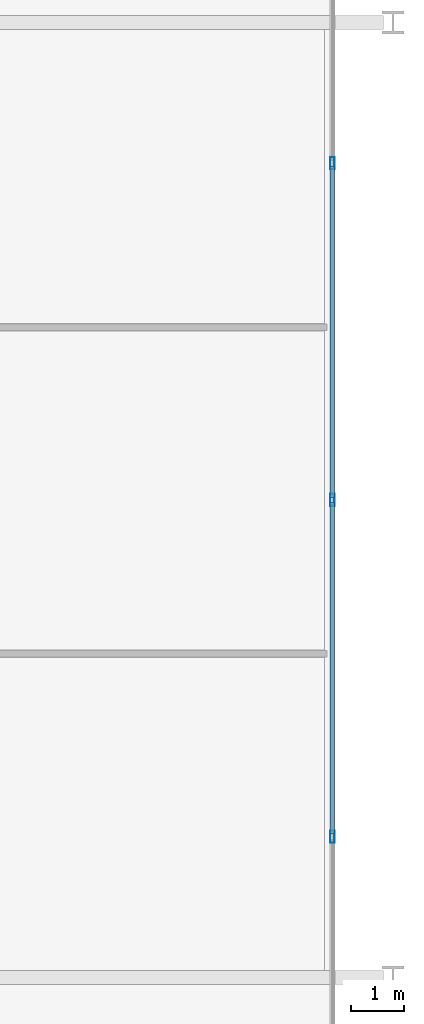
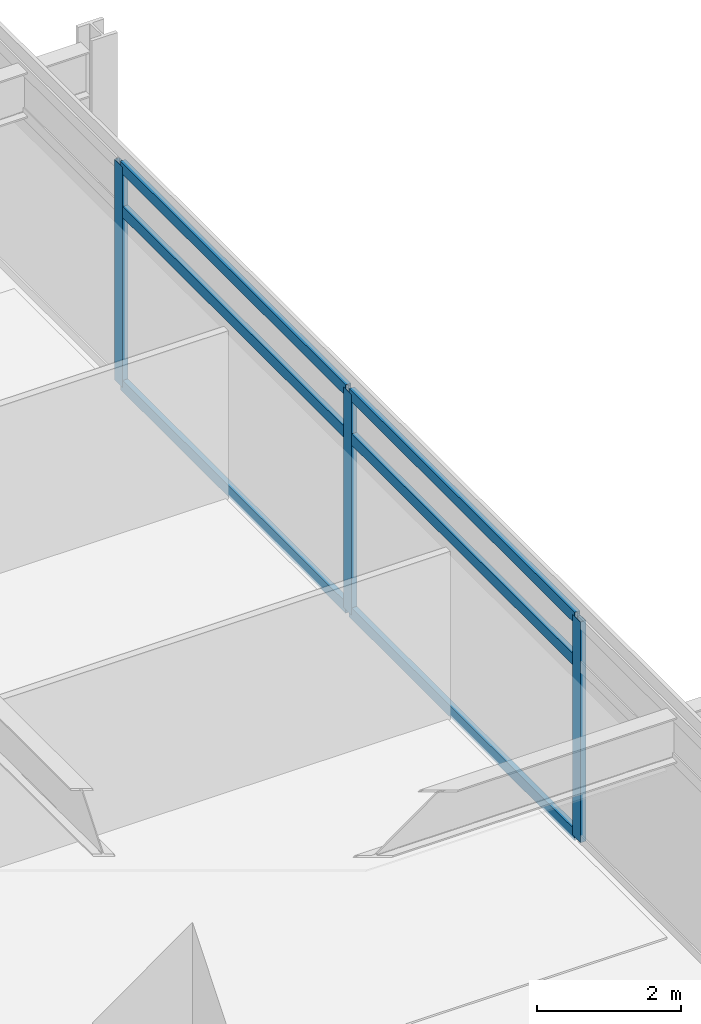
# One storey, part 4 of 23: 9 members, 1 element without a shape of its own.
"""IFC4 building model written with IfcOpenShell, lengths in metres."""

from ifc_helpers import new_model, si_unit, direction, frame, origin, origin_2d, place, context, subcontext, project, spatial, hollow_rectangle, extrude, material, material_profile, profile_set, type_object, element, aggregate, save


model = new_model("IFC4")

# Units and contexts
model_context = context("Model", 3, precision=1e-05, world=origin(), true_north=direction((0.0, 1.0)))
body_context = subcontext(model_context, "Body", "Model", "MODEL_VIEW")
ifc_project = project(units=[si_unit("LENGTHUNIT", "METRE"), si_unit("AREAUNIT", "SQUARE_METRE"), si_unit("VOLUMEUNIT", "CUBIC_METRE"), si_unit("PLANEANGLEUNIT", "RADIAN"), si_unit("MASSUNIT", "GRAM", prefix="KILO")], contexts=[model_context])

# Site, building, storey
site_placement = place(None, origin())
site = spatial("IfcSite", under=ifc_project, at=site_placement, CompositionType="ELEMENT")
building_placement = place(site_placement, origin())
building = spatial("IfcBuilding", under=site, at=building_placement, Name="Kovane Verandah Tower", CompositionType="ELEMENT")
storey_placement = place(building_placement, frame((0.0, 0.0, 140.39990234375)))
storey = spatial("IfcBuildingStorey", under=building, at=storey_placement, Name="L32", CompositionType="ELEMENT", Elevation=140.39990234375)

# Curtain wall, members
ifc_material_1 = material(Name="Champagne Anodised Aluminium Frame with Low-E Clear Laminated Glass", Category="aluminium")
curtain_wall_type = type_object("IfcCurtainWallType", Name="CW-SYS-03-MID", PredefinedType="NOTDEFINED", material=ifc_material_1)
curtain_wall_placement = place(storey_placement, origin())
curtain_wall = element("IfcCurtainWall", 1, at=curtain_wall_placement, inside=storey, type_object=curtain_wall_type, Name="L32 E Unitised Curtain Wall", PredefinedType="NOTDEFINED")
ifc_material_2 = material(Name="Champagne Anodised Aluminium 6063-T6", Category="aluminium")
ifc_material_profile_1 = material_profile(ifc_material_2, hollow_rectangle(XDim=0.0849609375, YDim=0.22998046875, WallThickness=0.00390625, at=origin_2d()), Name="AL85x230x4")
ifc_profile_set_1 = profile_set([ifc_material_profile_1], Name="Champagne Anodised Aluminium 6063-T6")
member_type_1 = type_object("IfcMemberType", Name="CW-MUL-85x230", PredefinedType="MULLION", material=ifc_profile_set_1)
member_1_placement = place(storey_placement, frame((66.4560546875, 21.153076171875, 0.02001953125), z_axis=(0.0, 0.0, 1.0), x_axis=(1.0, 0.0, 0.0)))
member_1 = element("IfcMember", 2, at=member_1_placement, type_object=member_type_1, Name="L32 E Unitised Curtain Wall Mullion 3", PredefinedType="MULLION", context=body_context, shape_type="SweptSolid", body=[
    extrude(hollow_rectangle(XDim=0.0849609375, YDim=0.22998046875, WallThickness=0.00390625, at=origin_2d()), origin(), (0.0, 0.0, 1.0), 3.735107421875),
])
member_2_placement = place(storey_placement, frame((66.4560546875, 27.5, 0.02001953125), z_axis=(0.0, 0.0, 1.0), x_axis=(1.0, 0.0, 0.0)))
member_2 = element("IfcMember", 3, at=member_2_placement, type_object=member_type_1, Name="L32 E Unitised Curtain Wall Mullion 4", PredefinedType="MULLION", context=body_context, shape_type="SweptSolid", body=[
    extrude(hollow_rectangle(XDim=0.0849609375, YDim=0.22998046875, WallThickness=0.00390625, at=origin_2d()), origin(), (0.0, 0.0, 1.0), 3.735107421875),
])
member_3_placement = place(storey_placement, frame((66.4560546875, 33.846923828125, 0.02001953125), z_axis=(0.0, 0.0, 1.0), x_axis=(1.0, 0.0, 0.0)))
member_3 = element("IfcMember", 4, at=member_3_placement, type_object=member_type_1, Name="L32 E Unitised Curtain Wall Mullion 5", PredefinedType="MULLION", context=body_context, shape_type="SweptSolid", body=[
    extrude(hollow_rectangle(XDim=0.0849609375, YDim=0.22998046875, WallThickness=0.00390625, at=origin_2d()), origin(), (0.0, 0.0, 1.0), 3.735107421875),
])
ifc_material_profile_2 = material_profile(ifc_material_2, hollow_rectangle(XDim=0.0849609375, YDim=0.18994140625, WallThickness=0.00390625, at=origin_2d()), Name="AL85x190x4")
ifc_profile_set_2 = profile_set([ifc_material_profile_2], Name="Champagne Anodised Aluminium 6063-T6")
member_type_2 = type_object("IfcMemberType", Name="CW-TRN-85x190", PredefinedType="USERDEFINED", material=ifc_profile_set_2)
member_4_placement = place(storey_placement, frame((66.4560546875, 21.203125, 0.050048828125), z_axis=(0.0, 1.0, 0.0), x_axis=(-1.0, 0.0, 0.0)))
member_4 = element("IfcMember", 5, at=member_4_placement, type_object=member_type_2, Name="L32 E Unitised Curtain Wall Transom TB Bay 3", ObjectType="TRANSOM", PredefinedType="USERDEFINED", context=body_context, shape_type="SweptSolid", body=[
    extrude(hollow_rectangle(XDim=0.0849609375, YDim=0.18994140625, WallThickness=0.00390625, at=origin_2d()), origin(), (0.0, 0.0, 1.0), 6.246826171875),
])
member_5_placement = place(storey_placement, frame((66.4560546875, 21.203125, 2.9951171875), z_axis=(0.0, 1.0, 0.0), x_axis=(-1.0, 0.0, 0.0)))
member_5 = element("IfcMember", 6, at=member_5_placement, type_object=member_type_2, Name="L32 E Unitised Curtain Wall Transom TM Bay 3", ObjectType="TRANSOM", PredefinedType="USERDEFINED", context=body_context, shape_type="SweptSolid", body=[
    extrude(hollow_rectangle(XDim=0.0849609375, YDim=0.18994140625, WallThickness=0.00390625, at=origin_2d()), origin(), (0.0, 0.0, 1.0), 6.246826171875),
])
member_6_placement = place(storey_placement, frame((66.4560546875, 21.203125, 3.72509765625), z_axis=(0.0, 1.0, 0.0), x_axis=(-1.0, 0.0, 0.0)))
member_6 = element("IfcMember", 7, at=member_6_placement, type_object=member_type_2, Name="L32 E Unitised Curtain Wall Transom TT Bay 3", ObjectType="TRANSOM", PredefinedType="USERDEFINED", context=body_context, shape_type="SweptSolid", body=[
    extrude(hollow_rectangle(XDim=0.0849609375, YDim=0.18994140625, WallThickness=0.00390625, at=origin_2d()), origin(), (0.0, 0.0, 1.0), 6.246826171875),
])
member_7_placement = place(storey_placement, frame((66.4560546875, 27.550048828125, 0.050048828125), z_axis=(0.0, 1.0, 0.0), x_axis=(-1.0, 0.0, 0.0)))
member_7 = element("IfcMember", 8, at=member_7_placement, type_object=member_type_2, Name="L32 E Unitised Curtain Wall Transom TB Bay 4", ObjectType="TRANSOM", PredefinedType="USERDEFINED", context=body_context, shape_type="SweptSolid", body=[
    extrude(hollow_rectangle(XDim=0.0849609375, YDim=0.18994140625, WallThickness=0.00390625, at=origin_2d()), origin(), (0.0, 0.0, 1.0), 6.246826171875),
])
member_8_placement = place(storey_placement, frame((66.4560546875, 27.550048828125, 2.9951171875), z_axis=(0.0, 1.0, 0.0), x_axis=(-1.0, 0.0, 0.0)))
member_8 = element("IfcMember", 9, at=member_8_placement, type_object=member_type_2, Name="L32 E Unitised Curtain Wall Transom TM Bay 4", ObjectType="TRANSOM", PredefinedType="USERDEFINED", context=body_context, shape_type="SweptSolid", body=[
    extrude(hollow_rectangle(XDim=0.0849609375, YDim=0.18994140625, WallThickness=0.00390625, at=origin_2d()), origin(), (0.0, 0.0, 1.0), 6.246826171875),
])
member_9_placement = place(storey_placement, frame((66.4560546875, 27.550048828125, 3.72509765625), z_axis=(0.0, 1.0, 0.0), x_axis=(-1.0, 0.0, 0.0)))
member_9 = element("IfcMember", 10, at=member_9_placement, type_object=member_type_2, Name="L32 E Unitised Curtain Wall Transom TT Bay 4", ObjectType="TRANSOM", PredefinedType="USERDEFINED", context=body_context, shape_type="SweptSolid", body=[
    extrude(hollow_rectangle(XDim=0.0849609375, YDim=0.18994140625, WallThickness=0.00390625, at=origin_2d()), origin(), (0.0, 0.0, 1.0), 6.246826171875),
])
aggregate(curtain_wall, [member_1, member_2, member_3, member_4, member_5, member_6, member_7, member_8, member_9])

save(model, "model.ifc")
